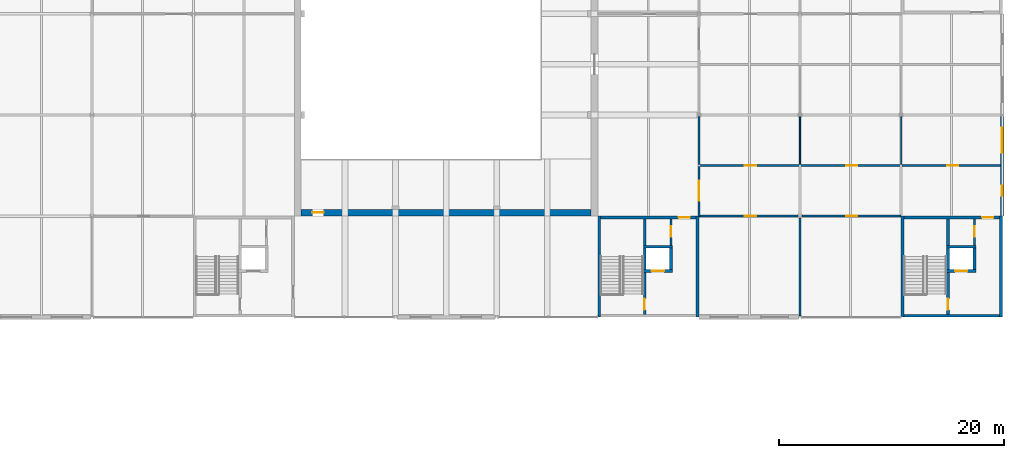
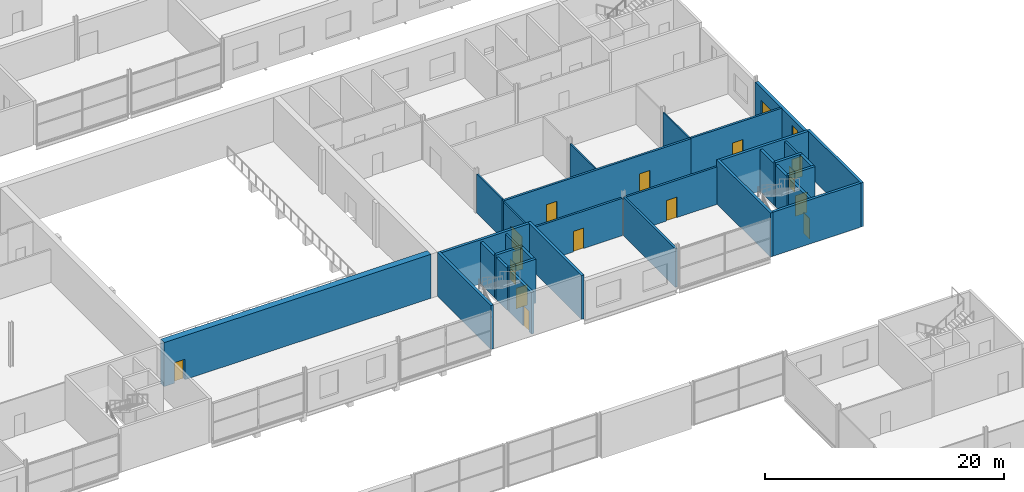
# One storey, part 83 of 97: 28 walls, 15 doors, 2 windows, 17 openings.
"""IFC4 building model written with IfcOpenShell, lengths in metres."""

from ifc_helpers import new_model, si_unit, direction, frame, frame_2d, origin, place, context, subcontext, project, spatial, rectangle, extrude, material, layer, layer_set, type_object, element, fill, save


model = new_model("IFC4")

# Units and contexts
model_context = context("Model", 3, precision=1e-05, world=origin(), true_north=direction((0.0, 1.0)))
body_context = subcontext(model_context, "Body", "Model", "MODEL_VIEW")
ifc_project = project(units=[si_unit("LENGTHUNIT", "METRE"), si_unit("AREAUNIT", "SQUARE_METRE"), si_unit("VOLUMEUNIT", "CUBIC_METRE"), si_unit("PLANEANGLEUNIT", "RADIAN"), si_unit("MASSUNIT", "GRAM", prefix="KILO")], contexts=[model_context])

# Site, building, storey
site_placement = place(None, origin())
site = spatial("IfcSite", under=ifc_project, at=site_placement, CompositionType="ELEMENT")
building_placement = place(site_placement, origin())
building = spatial("IfcBuilding", under=site, at=building_placement, Name="Corbel Yard City Hall", CompositionType="ELEMENT")
storey_placement = place(building_placement, frame((0.0, 0.0, 6.0)))
storey = spatial("IfcBuildingStorey", under=building, at=storey_placement, Name="L01", CompositionType="ELEMENT", Elevation=6.0)

# Wall, opening, door
ifc_material_1 = material(Name="Concrete N50 (50 MPa)", Category="concrete")
ifc_layer_1 = layer(ifc_material_1, 0.60009765625)
ifc_layer_set_1 = layer_set([ifc_layer_1], Name="Concrete N50 (50 MPa)")
wall_type_1 = type_object("IfcWallType", Name="Chamber wall 600", PredefinedType="SHEAR", material=ifc_layer_set_1)
wall_1_placement = place(storey_placement, frame((117.60009765625, 54.300048828125, 0.0), z_axis=(0.0, 0.0, 1.0), x_axis=(1.0, 0.0, 0.0)))
wall_1 = element("IfcWall", 1, at=wall_1_placement, inside=storey, type_object=wall_type_1, Name="Chamber south wall", PredefinedType="SHEAR", context=body_context, shape_type="SweptSolid", body=[
    extrude(rectangle(XDim=25.7998046875, YDim=0.60009765625, at=frame_2d((12.89990234375, 0.0))), origin(), (0.0, 0.0, 1.0), 4.5),
])
opening_1_placement = place(wall_1_placement, frame((1.0, 0.0, 0.0)))
opening_1 = element("IfcOpeningElement", 2, at=opening_1_placement, cuts=wall_1, Name="Opening L01-115", PredefinedType="OPENING", context=body_context, shape_type="SweptSolid", body=[
    extrude(rectangle(XDim=1.0, YDim=2.10009765625, at=frame_2d((0.5, 1.050048828125))), frame((0.0, 0.31005859375, 0.0), z_axis=(0.0, -1.0, 0.0), x_axis=(1.0, 0.0, 0.0)), (0.0, 0.0, 1.0), 0.6201171875),
])
ifc_material_2 = material(Name="Steel Grade G250", Category="steel")
door_type_1 = type_object("IfcDoorType", Name="FS1", OperationType="SINGLE_SWING_LEFT", PredefinedType="DOOR", material=ifc_material_2)
door_1_placement = place(opening_1_placement, origin())
door_1 = element("IfcDoor", 3, at=door_1_placement, inside=storey, type_object=door_type_1, Name="Door Gallery Entrance Lobby", OperationType="SINGLE_SWING_LEFT", OverallHeight=2.10009765625, OverallWidth=1.0, PredefinedType="DOOR", context=body_context, shape_type="SweptSolid", body=[
    extrude(rectangle(XDim=1.0, YDim=2.10009765625, at=frame_2d((0.5, 1.050048828125))), frame((0.0, 0.02490234375, 0.0), z_axis=(0.0, -1.0, 0.0), x_axis=(1.0, 0.0, 0.0)), (0.0, 0.0, 1.0), 0.050048828125),
])
fill(opening_1, door_1)

# Walls
ifc_layer_2 = layer(ifc_material_1, 0.25)
ifc_layer_set_2 = layer_set([ifc_layer_2], Name="Concrete N50 (50 MPa)")
wall_type_2 = type_object("IfcWallType", Name="Core cell wall 250", PredefinedType="SHEAR", material=ifc_layer_set_2)
for number, where, z_axis, x_axis, name in (
    (4, (144.125, 45.0, 0.0), (0.0, 0.0, 1.0), (0.0, 1.0, 0.0), "Core PC-M4 west wall"),
    (5, (152.875, 45.0, 0.0), (0.0, 0.0, 1.0), (0.0, 1.0, 0.0), "Core PC-M4 east wall"),
):
    element("IfcWall", number, at=place(storey_placement, frame(where, z_axis=z_axis, x_axis=x_axis)), inside=storey, type_object=wall_type_2, Name=name, PredefinedType="SHEAR", context=body_context, shape_type="SweptSolid", body=[
        extrude(rectangle(XDim=9.0, YDim=0.25, at=frame_2d((4.5, 0.0))), origin(), (0.0, 0.0, 1.0), 4.5),
    ])

# Wall, opening, door
wall_2_placement = place(storey_placement, frame((144.25, 53.875, 0.0), z_axis=(0.0, 0.0, 1.0), x_axis=(1.0, 0.0, 0.0)))
wall_2 = element("IfcWall", 6, at=wall_2_placement, inside=storey, type_object=wall_type_2, Name="Core PC-M4 north wall", PredefinedType="SHEAR", context=body_context, shape_type="SweptSolid", body=[
    extrude(rectangle(XDim=8.5, YDim=0.25, at=frame_2d((4.25, 0.0))), origin(), (0.0, 0.0, 1.0), 4.5),
])
opening_2_placement = place(wall_2_placement, frame((6.949951171875, 0.0, 0.0)))
opening_2 = element("IfcOpeningElement", 7, at=opening_2_placement, cuts=wall_2, Name="Opening L01-109", PredefinedType="OPENING", context=body_context, shape_type="SweptSolid", body=[
    extrude(rectangle(XDim=1.0, YDim=2.10009765625, at=frame_2d((0.5, 1.050048828125))), frame((0.0, 0.135009765625, 0.0), z_axis=(0.0, -1.0, 0.0), x_axis=(1.0, 0.0, 0.0)), (0.0, 0.0, 1.0), 0.27001953125),
])
door_2_placement = place(opening_2_placement, frame((1.0, 0.0, 0.0), z_axis=(0.0, 0.0, 1.0), x_axis=(-1.0, 0.0, 0.0)))
door_2 = element("IfcDoor", 8, at=door_2_placement, inside=storey, type_object=door_type_1, Name="Door Lift Lobby", OperationType="SINGLE_SWING_RIGHT", OverallHeight=2.10009765625, OverallWidth=1.0, PredefinedType="DOOR", context=body_context, shape_type="SweptSolid", body=[
    extrude(rectangle(XDim=1.0, YDim=2.10009765625, at=frame_2d((0.5, 1.050048828125))), frame((0.0, 0.02490234375, 0.0), z_axis=(0.0, -1.0, 0.0), x_axis=(1.0, 0.0, 0.0)), (0.0, 0.0, 1.0), 0.050048828125),
])
fill(opening_2, door_2)

# Walls
for number, where, z_axis, x_axis, name in (
    (9, (171.125, 45.0, 0.0), (0.0, 0.0, 1.0), (0.0, 1.0, 0.0), "Core PC-M5 west wall"),
    (10, (179.875, 45.0, 0.0), (0.0, 0.0, 1.0), (0.0, 1.0, 0.0), "Core PC-M5 east wall"),
):
    element("IfcWall", number, at=place(storey_placement, frame(where, z_axis=z_axis, x_axis=x_axis)), inside=storey, type_object=wall_type_2, Name=name, PredefinedType="SHEAR", context=body_context, shape_type="SweptSolid", body=[
        extrude(rectangle(XDim=9.0, YDim=0.25, at=frame_2d((4.5, 0.0))), origin(), (0.0, 0.0, 1.0), 4.5),
    ])
wall_3_placement = place(storey_placement, frame((171.25, 45.125, 0.0), z_axis=(0.0, 0.0, 1.0), x_axis=(1.0, 0.0, 0.0)))
element("IfcWall", 11, at=wall_3_placement, inside=storey, type_object=wall_type_2, Name="Core PC-M5 south wall", PredefinedType="SHEAR", context=body_context, shape_type="SweptSolid", body=[
    extrude(rectangle(XDim=8.5, YDim=0.25, at=frame_2d((4.25, 0.0))), origin(), (0.0, 0.0, 1.0), 4.5),
])

# Wall, opening, door
wall_4_placement = place(storey_placement, frame((171.25, 53.875, 0.0), z_axis=(0.0, 0.0, 1.0), x_axis=(1.0, 0.0, 0.0)))
wall_4 = element("IfcWall", 12, at=wall_4_placement, inside=storey, type_object=wall_type_2, Name="Core PC-M5 north wall", PredefinedType="SHEAR", context=body_context, shape_type="SweptSolid", body=[
    extrude(rectangle(XDim=8.5, YDim=0.25, at=frame_2d((4.25, 0.0))), origin(), (0.0, 0.0, 1.0), 4.5),
])
opening_3_placement = place(wall_4_placement, frame((6.949951171875, 0.0, 0.0)))
opening_3 = element("IfcOpeningElement", 13, at=opening_3_placement, cuts=wall_4, Name="Opening L01-118", PredefinedType="OPENING", context=body_context, shape_type="SweptSolid", body=[
    extrude(rectangle(XDim=1.0, YDim=2.10009765625, at=frame_2d((0.5, 1.050048828125))), frame((0.0, 0.135009765625, 0.0), z_axis=(0.0, -1.0, 0.0), x_axis=(1.0, 0.0, 0.0)), (0.0, 0.0, 1.0), 0.27001953125),
])
door_3_placement = place(opening_3_placement, frame((1.0, 0.0, 0.0), z_axis=(0.0, 0.0, 1.0), x_axis=(-1.0, 0.0, 0.0)))
door_3 = element("IfcDoor", 14, at=door_3_placement, inside=storey, type_object=door_type_1, Name="Door Lift Lobby", OperationType="SINGLE_SWING_RIGHT", OverallHeight=2.10009765625, OverallWidth=1.0, PredefinedType="DOOR", context=body_context, shape_type="SweptSolid", body=[
    extrude(rectangle(XDim=1.0, YDim=2.10009765625, at=frame_2d((0.5, 1.050048828125))), frame((0.0, 0.02490234375, 0.0), z_axis=(0.0, -1.0, 0.0), x_axis=(1.0, 0.0, 0.0)), (0.0, 0.0, 1.0), 0.050048828125),
])
fill(opening_3, door_3)

# Wall, openings, windows
ifc_material_3 = material(Name="Sandstone cladding", Category="masonry")
ifc_layer_3 = layer(ifc_material_3, 0.0400390625)
ifc_material_4 = material(Name="Air cavity", Category="air")
ifc_layer_4 = layer(ifc_material_4, 0.0400390625)
ifc_material_5 = material(Name="Concrete block", Category="concrete")
ifc_layer_5 = layer(ifc_material_5, 0.18994140625)
ifc_material_6 = material(Name="Gypsum plasterboard", Category="gypsum")
ifc_layer_6 = layer(ifc_material_6, 0.030029296875)
ifc_layer_set_3 = layer_set([ifc_layer_3, ifc_layer_4, ifc_layer_5, ifc_layer_6], Name="Concrete block")
wall_type_3 = type_object("IfcWallType", Name="EW1", PredefinedType="SOLIDWALL", material=ifc_layer_set_3)
wall_5_placement = place(storey_placement, frame((180.0, 54.0, 0.0), z_axis=(0.0, 0.0, 1.0), x_axis=(0.0, 1.0, 0.0)))
wall_5 = element("IfcWall", 15, at=wall_5_placement, inside=storey, type_object=wall_type_3, Name="External wall", PredefinedType="SOLIDWALL", context=body_context, shape_type="SweptSolid", body=[
    extrude(rectangle(XDim=8.8720703125, YDim=0.300048828125, at=frame_2d((4.43603515625, 0.0))), origin(), (0.0, 0.0, 1.0), 3.947021484375),
])
opening_4_placement = place(wall_5_placement, frame((1.800048828125, 0.0, 0.60009765625)))
opening_4 = element("IfcOpeningElement", 16, at=opening_4_placement, cuts=wall_5, Name="Opening WN14", PredefinedType="OPENING", context=body_context, shape_type="SweptSolid", body=[
    extrude(rectangle(XDim=0.89990234375, YDim=2.699951171875, at=frame_2d((0.449951171875, 1.35009765625))), frame((0.0, 0.159912109375, 0.0), z_axis=(0.0, -1.0, 0.0), x_axis=(1.0, 0.0, 0.0)), (0.0, 0.0, 1.0), 0.320068359375),
])
opening_5_placement = place(wall_5_placement, frame((5.625, 0.0, 0.89990234375)))
opening_5 = element("IfcOpeningElement", 17, at=opening_5_placement, cuts=wall_5, Name="Opening WN15", PredefinedType="OPENING", context=body_context, shape_type="SweptSolid", body=[
    extrude(rectangle(XDim=2.25, YDim=1.800048828125, at=frame_2d((1.125, 0.89990234375))), frame((0.0, 0.159912109375, 0.0), z_axis=(0.0, -1.0, 0.0), x_axis=(1.0, 0.0, 0.0)), (0.0, 0.0, 1.0), 0.320068359375),
])
ifc_material_7 = material(Name="Aluminium frame, double glazed low-e glass", Category="aluminium")
window_type_1 = type_object("IfcWindowType", Name="WN14", PartitioningType="SINGLE_PANEL", PredefinedType="WINDOW", material=ifc_material_7)
window_1_placement = place(opening_4_placement, origin())
window_1 = element("IfcWindow", 18, at=window_1_placement, inside=storey, type_object=window_type_1, Name="Window WN14 L01", OverallHeight=2.699951171875, OverallWidth=0.89990234375, PartitioningType="SINGLE_PANEL", PredefinedType="WINDOW", context=body_context, shape_type="SweptSolid", body=[
    extrude(rectangle(XDim=0.89990234375, YDim=2.699951171875, at=frame_2d((0.449951171875, 1.35009765625))), frame((0.0, 0.030029296875, 0.0), z_axis=(0.0, -1.0, 0.0), x_axis=(1.0, 0.0, 0.0)), (0.0, 0.0, 1.0), 0.06005859375),
])
fill(opening_4, window_1)
window_type_2 = type_object("IfcWindowType", Name="WN15", PartitioningType="SINGLE_PANEL", PredefinedType="WINDOW", material=ifc_material_7)
window_2_placement = place(opening_5_placement, origin())
window_2 = element("IfcWindow", 19, at=window_2_placement, inside=storey, type_object=window_type_2, Name="Window WN15 L01", OverallHeight=1.800048828125, OverallWidth=2.25, PartitioningType="SINGLE_PANEL", PredefinedType="WINDOW", context=body_context, shape_type="SweptSolid", body=[
    extrude(rectangle(XDim=2.25, YDim=1.800048828125, at=frame_2d((1.125, 0.89990234375))), frame((0.0, 0.030029296875, 0.0), z_axis=(0.0, -1.0, 0.0), x_axis=(1.0, 0.0, 0.0)), (0.0, 0.0, 1.0), 0.06005859375),
])
fill(opening_5, window_2)

# Wall, opening, door
ifc_material_8 = material(Name="Concrete N40 (40 MPa)", Category="concrete")
ifc_layer_7 = layer(ifc_material_8, 0.25)
ifc_layer_set_4 = layer_set([ifc_layer_7], Name="Concrete N40 (40 MPa)")
wall_type_4 = type_object("IfcWallType", Name="IW2", PredefinedType="SOLIDWALL", material=ifc_layer_set_4)
wall_6_placement = place(storey_placement, frame((148.175048828125, 45.25, 0.0), z_axis=(0.0, 0.0, 1.0), x_axis=(0.0, 1.0, 0.0)))
wall_6 = element("IfcWall", 20, at=wall_6_placement, inside=storey, type_object=wall_type_4, Name="Stair enclosure wall", PredefinedType="SOLIDWALL", context=body_context, shape_type="SweptSolid", body=[
    extrude(rectangle(XDim=8.5, YDim=0.25, at=frame_2d((4.25, 0.0))), origin(), (0.0, 0.0, 1.0), 4.25),
])
opening_6_placement = place(wall_6_placement, frame((0.39990234375, 0.0, 0.0)))
opening_6 = element("IfcOpeningElement", 21, at=opening_6_placement, cuts=wall_6, Name="Opening L01-108", PredefinedType="OPENING", context=body_context, shape_type="SweptSolid", body=[
    extrude(rectangle(XDim=1.0, YDim=2.10009765625, at=frame_2d((0.5, 1.050048828125))), frame((0.0, 0.135009765625, 0.0), z_axis=(0.0, -1.0, 0.0), x_axis=(1.0, 0.0, 0.0)), (0.0, 0.0, 1.0), 0.27001953125),
])
door_4_placement = place(opening_6_placement, origin())
door_4 = element("IfcDoor", 22, at=door_4_placement, inside=storey, type_object=door_type_1, Name="Door Exit Stair 11", OperationType="SINGLE_SWING_LEFT", OverallHeight=2.10009765625, OverallWidth=1.0, PredefinedType="DOOR", context=body_context, shape_type="SweptSolid", body=[
    extrude(rectangle(XDim=1.0, YDim=2.10009765625, at=frame_2d((0.5, 1.050048828125))), frame((0.0, 0.02490234375, 0.0), z_axis=(0.0, -1.0, 0.0), x_axis=(1.0, 0.0, 0.0)), (0.0, 0.0, 1.0), 0.050048828125),
])
fill(opening_6, door_4)

wall_7_placement = place(storey_placement, frame((148.050048828125, 49.125, 0.0), z_axis=(0.0, 0.0, 1.0), x_axis=(1.0, 0.0, 0.0)))
wall_7 = element("IfcWall", 23, at=wall_7_placement, inside=storey, type_object=wall_type_4, Name="Lift LP11 shaft wall", PredefinedType="SOLIDWALL", context=body_context, shape_type="SweptSolid", body=[
    extrude(rectangle(XDim=2.599853515625, YDim=0.25, at=frame_2d((1.2998046875, 0.0))), origin(), (0.0, 0.0, 1.0), 4.5),
])
opening_7_placement = place(wall_7_placement, frame((0.75, 0.0, 0.0)))
opening_7 = element("IfcOpeningElement", 24, at=opening_7_placement, cuts=wall_7, Name="Opening L01-053", PredefinedType="OPENING", context=body_context, shape_type="SweptSolid", body=[
    extrude(rectangle(XDim=1.10009765625, YDim=2.10009765625, at=frame_2d((0.550048828125, 1.050048828125))), frame((0.0, 0.135009765625, 0.0), z_axis=(0.0, -1.0, 0.0), x_axis=(1.0, 0.0, 0.0)), (0.0, 0.0, 1.0), 0.27001953125),
])
ifc_material_9 = material(Name="Stainless steel Grade 316", Category="steel")
door_type_2 = type_object("IfcDoorType", Name="LD1", OperationType="DOUBLE_DOOR_SLIDING", PredefinedType="DOOR", material=ifc_material_9)
door_5_placement = place(opening_7_placement, origin())
door_5 = element("IfcDoor", 25, at=door_5_placement, inside=storey, type_object=door_type_2, Name="Lift LP11 landing door", OperationType="DOUBLE_DOOR_SLIDING", OverallHeight=2.10009765625, OverallWidth=1.10009765625, PredefinedType="DOOR", context=body_context, shape_type="SweptSolid", body=[
    extrude(rectangle(XDim=1.10009765625, YDim=2.10009765625, at=frame_2d((0.550048828125, 1.050048828125))), frame((0.0, 0.02490234375, 0.0), z_axis=(0.0, -1.0, 0.0), x_axis=(1.0, 0.0, 0.0)), (0.0, 0.0, 1.0), 0.050048828125),
])
fill(opening_7, door_5)

# Walls
wall_8_placement = place(storey_placement, frame((148.050048828125, 51.27490234375, 0.0), z_axis=(0.0, 0.0, 1.0), x_axis=(1.0, 0.0, 0.0)))
element("IfcWall", 26, at=wall_8_placement, inside=storey, type_object=wall_type_4, Name="Lift LP11 shaft wall", PredefinedType="SOLIDWALL", context=body_context, shape_type="SweptSolid", body=[
    extrude(rectangle(XDim=2.599853515625, YDim=0.25, at=frame_2d((1.2998046875, 0.0))), origin(), (0.0, 0.0, 1.0), 4.5),
])
wall_9_placement = place(storey_placement, frame((150.52490234375, 49.25, 0.0), z_axis=(0.0, 0.0, 1.0), x_axis=(0.0, 1.0, 0.0)))
element("IfcWall", 27, at=wall_9_placement, inside=storey, type_object=wall_type_4, Name="Lift LP11 shaft wall", PredefinedType="SOLIDWALL", context=body_context, shape_type="SweptSolid", body=[
    extrude(rectangle(XDim=1.89990234375, YDim=0.25, at=frame_2d((0.949951171875, 0.0))), origin(), (0.0, 0.0, 1.0), 4.5),
])

# Wall, opening, door
wall_10_placement = place(storey_placement, frame((175.175048828125, 45.25, 0.0), z_axis=(0.0, 0.0, 1.0), x_axis=(0.0, 1.0, 0.0)))
wall_10 = element("IfcWall", 28, at=wall_10_placement, inside=storey, type_object=wall_type_4, Name="Stair enclosure wall", PredefinedType="SOLIDWALL", context=body_context, shape_type="SweptSolid", body=[
    extrude(rectangle(XDim=8.5, YDim=0.25, at=frame_2d((4.25, 0.0))), origin(), (0.0, 0.0, 1.0), 4.25),
])
opening_8_placement = place(wall_10_placement, frame((0.39990234375, 0.0, 0.0)))
opening_8 = element("IfcOpeningElement", 29, at=opening_8_placement, cuts=wall_10, Name="Opening L01-117", PredefinedType="OPENING", context=body_context, shape_type="SweptSolid", body=[
    extrude(rectangle(XDim=1.0, YDim=2.10009765625, at=frame_2d((0.5, 1.050048828125))), frame((0.0, 0.135009765625, 0.0), z_axis=(0.0, -1.0, 0.0), x_axis=(1.0, 0.0, 0.0)), (0.0, 0.0, 1.0), 0.27001953125),
])
door_6_placement = place(opening_8_placement, origin())
door_6 = element("IfcDoor", 30, at=door_6_placement, inside=storey, type_object=door_type_1, Name="Door Exit Stair 12", OperationType="SINGLE_SWING_LEFT", OverallHeight=2.10009765625, OverallWidth=1.0, PredefinedType="DOOR", context=body_context, shape_type="SweptSolid", body=[
    extrude(rectangle(XDim=1.0, YDim=2.10009765625, at=frame_2d((0.5, 1.050048828125))), frame((0.0, 0.02490234375, 0.0), z_axis=(0.0, -1.0, 0.0), x_axis=(1.0, 0.0, 0.0)), (0.0, 0.0, 1.0), 0.050048828125),
])
fill(opening_8, door_6)

wall_11_placement = place(storey_placement, frame((175.050048828125, 49.125, 0.0), z_axis=(0.0, 0.0, 1.0), x_axis=(1.0, 0.0, 0.0)))
wall_11 = element("IfcWall", 31, at=wall_11_placement, inside=storey, type_object=wall_type_4, Name="Lift LP12 shaft wall", PredefinedType="SOLIDWALL", context=body_context, shape_type="SweptSolid", body=[
    extrude(rectangle(XDim=2.599853515625, YDim=0.25, at=frame_2d((1.2998046875, 0.0))), origin(), (0.0, 0.0, 1.0), 4.5),
])
opening_9_placement = place(wall_11_placement, frame((0.75, 0.0, 0.0)))
opening_9 = element("IfcOpeningElement", 32, at=opening_9_placement, cuts=wall_11, Name="Opening L01-054", PredefinedType="OPENING", context=body_context, shape_type="SweptSolid", body=[
    extrude(rectangle(XDim=1.10009765625, YDim=2.10009765625, at=frame_2d((0.550048828125, 1.050048828125))), frame((0.0, 0.135009765625, 0.0), z_axis=(0.0, -1.0, 0.0), x_axis=(1.0, 0.0, 0.0)), (0.0, 0.0, 1.0), 0.27001953125),
])
door_7_placement = place(opening_9_placement, origin())
door_7 = element("IfcDoor", 33, at=door_7_placement, inside=storey, type_object=door_type_2, Name="Lift LP12 landing door", OperationType="DOUBLE_DOOR_SLIDING", OverallHeight=2.10009765625, OverallWidth=1.10009765625, PredefinedType="DOOR", context=body_context, shape_type="SweptSolid", body=[
    extrude(rectangle(XDim=1.10009765625, YDim=2.10009765625, at=frame_2d((0.550048828125, 1.050048828125))), frame((0.0, 0.02490234375, 0.0), z_axis=(0.0, -1.0, 0.0), x_axis=(1.0, 0.0, 0.0)), (0.0, 0.0, 1.0), 0.050048828125),
])
fill(opening_9, door_7)

# Walls
wall_12_placement = place(storey_placement, frame((175.050048828125, 51.27490234375, 0.0), z_axis=(0.0, 0.0, 1.0), x_axis=(1.0, 0.0, 0.0)))
element("IfcWall", 34, at=wall_12_placement, inside=storey, type_object=wall_type_4, Name="Lift LP12 shaft wall", PredefinedType="SOLIDWALL", context=body_context, shape_type="SweptSolid", body=[
    extrude(rectangle(XDim=2.599853515625, YDim=0.25, at=frame_2d((1.2998046875, 0.0))), origin(), (0.0, 0.0, 1.0), 4.5),
])
wall_13_placement = place(storey_placement, frame((177.52490234375, 49.25, 0.0), z_axis=(0.0, 0.0, 1.0), x_axis=(0.0, 1.0, 0.0)))
element("IfcWall", 35, at=wall_13_placement, inside=storey, type_object=wall_type_4, Name="Lift LP12 shaft wall", PredefinedType="SOLIDWALL", context=body_context, shape_type="SweptSolid", body=[
    extrude(rectangle(XDim=1.89990234375, YDim=0.25, at=frame_2d((0.949951171875, 0.0))), origin(), (0.0, 0.0, 1.0), 4.5),
])
ifc_layer_8 = layer(ifc_material_6, 0.028076171875)
ifc_material_10 = material(Name="Steel Grade G550 (550 MPa yield)", Category="steel")
ifc_layer_9 = layer(ifc_material_10, 0.06396484375)
ifc_layer_10 = layer(ifc_material_6, 0.028076171875)
ifc_layer_set_5 = layer_set([ifc_layer_8, ifc_layer_9, ifc_layer_10], Name="Steel Grade G550 (550 MPa yield)")
wall_type_5 = type_object("IfcWallType", Name="PT1", PredefinedType="PARTITIONING", material=ifc_layer_set_5)
wall_14_placement = place(storey_placement, frame((162.0, 58.60009765625, 0.0), z_axis=(0.0, 0.0, 1.0), x_axis=(0.0, 1.0, 0.0)))
element("IfcWall", 36, at=wall_14_placement, inside=storey, type_object=wall_type_5, Name="Partition", PredefinedType="PARTITIONING", context=body_context, shape_type="SweptSolid", body=[
    extrude(rectangle(XDim=4.242431640625, YDim=0.1201171875, at=frame_2d((2.12109375, 0.0))), origin(), (0.0, 0.0, 1.0), 3.947021484375),
])
wall_15_placement = place(storey_placement, frame((171.0, 58.60009765625, 0.0), z_axis=(0.0, 0.0, 1.0), x_axis=(0.0, 1.0, 0.0)))
element("IfcWall", 37, at=wall_15_placement, inside=storey, type_object=wall_type_5, Name="Partition", PredefinedType="PARTITIONING", context=body_context, shape_type="SweptSolid", body=[
    extrude(rectangle(XDim=4.242431640625, YDim=0.1201171875, at=frame_2d((2.12109375, 0.0))), origin(), (0.0, 0.0, 1.0), 3.993896484375),
])

# Wall, opening, door
ifc_layer_11 = layer(ifc_material_6, 0.031982421875)
ifc_layer_12 = layer(ifc_material_10, 0.135986328125)
ifc_layer_13 = layer(ifc_material_6, 0.031982421875)
ifc_layer_set_6 = layer_set([ifc_layer_11, ifc_layer_12, ifc_layer_13], Name="Steel Grade G550 (550 MPa yield)")
wall_type_6 = type_object("IfcWallType", Name="PT2", PredefinedType="PARTITIONING", material=ifc_layer_set_6)
wall_16_placement = place(storey_placement, frame((153.0, 54.0, 0.0), z_axis=(0.0, 0.0, 1.0), x_axis=(1.0, 0.0, 0.0)))
wall_16 = element("IfcWall", 38, at=wall_16_placement, inside=storey, type_object=wall_type_6, Name="Acoustic wall", PredefinedType="PARTITIONING", context=body_context, shape_type="SweptSolid", body=[
    extrude(rectangle(XDim=8.842529296875, YDim=0.199951171875, at=frame_2d((4.42138671875, 0.0))), origin(), (0.0, 0.0, 1.0), 3.822021484375),
])
opening_10_placement = place(wall_16_placement, frame((4.10009765625, 0.0, 0.0)))
opening_10 = element("IfcOpeningElement", 39, at=opening_10_placement, cuts=wall_16, Name="Opening L01-125", PredefinedType="OPENING", context=body_context, shape_type="SweptSolid", body=[
    extrude(rectangle(XDim=1.0, YDim=2.10009765625, at=frame_2d((0.5, 1.050048828125))), frame((0.0, 0.10986328125, 0.0), z_axis=(0.0, -1.0, 0.0), x_axis=(1.0, 0.0, 0.0)), (0.0, 0.0, 1.0), 0.219970703125),
])
ifc_material_11 = material(Name="Timber", Category="wood")
door_type_3 = type_object("IfcDoorType", Name="D1", OperationType="SINGLE_SWING_LEFT", PredefinedType="DOOR", material=ifc_material_11)
door_8_placement = place(opening_10_placement, frame((1.0, 0.0, 0.0), z_axis=(0.0, 0.0, 1.0), x_axis=(-1.0, 0.0, 0.0)))
door_8 = element("IfcDoor", 40, at=door_8_placement, inside=storey, type_object=door_type_3, Name="Door Committee Room 15", OperationType="SINGLE_SWING_LEFT", OverallHeight=2.10009765625, OverallWidth=1.0, PredefinedType="DOOR", context=body_context, shape_type="SweptSolid", body=[
    extrude(rectangle(XDim=1.0, YDim=2.10009765625, at=frame_2d((0.5, 1.050048828125))), frame((0.0, 0.02490234375, 0.0), z_axis=(0.0, -1.0, 0.0), x_axis=(1.0, 0.0, 0.0)), (0.0, 0.0, 1.0), 0.050048828125),
])
fill(opening_10, door_8)

wall_17_placement = place(storey_placement, frame((162.157470703125, 54.0, 0.0), z_axis=(0.0, 0.0, 1.0), x_axis=(1.0, 0.0, 0.0)))
wall_17 = element("IfcWall", 41, at=wall_17_placement, inside=storey, type_object=wall_type_6, Name="Acoustic wall", PredefinedType="PARTITIONING", context=body_context, shape_type="SweptSolid", body=[
    extrude(rectangle(XDim=8.842529296875, YDim=0.199951171875, at=frame_2d((4.42138671875, 0.0))), origin(), (0.0, 0.0, 1.0), 3.822021484375),
])
opening_11_placement = place(wall_17_placement, frame((3.9423828125, 0.0, 0.0)))
opening_11 = element("IfcOpeningElement", 42, at=opening_11_placement, cuts=wall_17, Name="Opening L01-126", PredefinedType="OPENING", context=body_context, shape_type="SweptSolid", body=[
    extrude(rectangle(XDim=1.0, YDim=2.10009765625, at=frame_2d((0.5, 1.050048828125))), frame((0.0, 0.10986328125, 0.0), z_axis=(0.0, -1.0, 0.0), x_axis=(1.0, 0.0, 0.0)), (0.0, 0.0, 1.0), 0.219970703125),
])
door_9_placement = place(opening_11_placement, frame((1.0, 0.0, 0.0), z_axis=(0.0, 0.0, 1.0), x_axis=(-1.0, 0.0, 0.0)))
door_9 = element("IfcDoor", 43, at=door_9_placement, inside=storey, type_object=door_type_3, Name="Door Committee Room 16", OperationType="SINGLE_SWING_LEFT", OverallHeight=2.10009765625, OverallWidth=1.0, PredefinedType="DOOR", context=body_context, shape_type="SweptSolid", body=[
    extrude(rectangle(XDim=1.0, YDim=2.10009765625, at=frame_2d((0.5, 1.050048828125))), frame((0.0, 0.02490234375, 0.0), z_axis=(0.0, -1.0, 0.0), x_axis=(1.0, 0.0, 0.0)), (0.0, 0.0, 1.0), 0.050048828125),
])
fill(opening_11, door_9)

# Wall, openings, doors
wall_18_placement = place(storey_placement, frame((152.919921875, 58.5, 0.0), z_axis=(0.0, 0.0, 1.0), x_axis=(1.0, 0.0, 0.0)))
wall_18 = element("IfcWall", 44, at=wall_18_placement, inside=storey, type_object=wall_type_6, Name="Acoustic wall", PredefinedType="PARTITIONING", context=body_context, shape_type="SweptSolid", body=[
    extrude(rectangle(XDim=18.14013671875, YDim=0.199951171875, at=frame_2d((9.070068359375, 0.0))), origin(), (0.0, 0.0, 1.0), 3.947021484375),
])
opening_12_placement = place(wall_18_placement, frame((4.179931640625, 0.0, 0.0)))
opening_12 = element("IfcOpeningElement", 45, at=opening_12_placement, cuts=wall_18, Name="Opening L01-127", PredefinedType="OPENING", context=body_context, shape_type="SweptSolid", body=[
    extrude(rectangle(XDim=1.0, YDim=2.10009765625, at=frame_2d((0.5, 1.050048828125))), frame((0.0, 0.10986328125, 0.0), z_axis=(0.0, -1.0, 0.0), x_axis=(1.0, 0.0, 0.0)), (0.0, 0.0, 1.0), 0.219970703125),
])
opening_13_placement = place(wall_18_placement, frame((13.179931640625, 0.0, 0.0)))
opening_13 = element("IfcOpeningElement", 46, at=opening_13_placement, cuts=wall_18, Name="Opening L01-128", PredefinedType="OPENING", context=body_context, shape_type="SweptSolid", body=[
    extrude(rectangle(XDim=1.0, YDim=2.10009765625, at=frame_2d((0.5, 1.050048828125))), frame((0.0, 0.10986328125, 0.0), z_axis=(0.0, -1.0, 0.0), x_axis=(1.0, 0.0, 0.0)), (0.0, 0.0, 1.0), 0.219970703125),
])
door_10_placement = place(opening_12_placement, origin())
door_10 = element("IfcDoor", 47, at=door_10_placement, inside=storey, type_object=door_type_3, Name="Door Members' Office 1", OperationType="SINGLE_SWING_RIGHT", OverallHeight=2.10009765625, OverallWidth=1.0, PredefinedType="DOOR", context=body_context, shape_type="SweptSolid", body=[
    extrude(rectangle(XDim=1.0, YDim=2.10009765625, at=frame_2d((0.5, 1.050048828125))), frame((0.0, 0.02490234375, 0.0), z_axis=(0.0, -1.0, 0.0), x_axis=(1.0, 0.0, 0.0)), (0.0, 0.0, 1.0), 0.050048828125),
])
fill(opening_12, door_10)
door_11_placement = place(opening_13_placement, origin())
door_11 = element("IfcDoor", 48, at=door_11_placement, inside=storey, type_object=door_type_3, Name="Door Members' Office 2", OperationType="SINGLE_SWING_RIGHT", OverallHeight=2.10009765625, OverallWidth=1.0, PredefinedType="DOOR", context=body_context, shape_type="SweptSolid", body=[
    extrude(rectangle(XDim=1.0, YDim=2.10009765625, at=frame_2d((0.5, 1.050048828125))), frame((0.0, 0.02490234375, 0.0), z_axis=(0.0, -1.0, 0.0), x_axis=(1.0, 0.0, 0.0)), (0.0, 0.0, 1.0), 0.050048828125),
])
fill(opening_13, door_11)

# Wall, opening, door
wall_19_placement = place(storey_placement, frame((171.06005859375, 58.5, 0.0), z_axis=(0.0, 0.0, 1.0), x_axis=(1.0, 0.0, 0.0)))
wall_19 = element("IfcWall", 49, at=wall_19_placement, inside=storey, type_object=wall_type_6, Name="Acoustic wall", PredefinedType="PARTITIONING", context=body_context, shape_type="SweptSolid", body=[
    extrude(rectangle(XDim=8.7900390625, YDim=0.199951171875, at=frame_2d((4.39501953125, 0.0))), origin(), (0.0, 0.0, 1.0), 3.993896484375),
])
opening_14_placement = place(wall_19_placement, frame((4.0400390625, 0.0, 0.0)))
opening_14 = element("IfcOpeningElement", 50, at=opening_14_placement, cuts=wall_19, Name="Opening L01-129", PredefinedType="OPENING", context=body_context, shape_type="SweptSolid", body=[
    extrude(rectangle(XDim=1.0, YDim=2.10009765625, at=frame_2d((0.5, 1.050048828125))), frame((0.0, 0.10986328125, 0.0), z_axis=(0.0, -1.0, 0.0), x_axis=(1.0, 0.0, 0.0)), (0.0, 0.0, 1.0), 0.219970703125),
])
door_12_placement = place(opening_14_placement, origin())
door_12 = element("IfcDoor", 51, at=door_12_placement, inside=storey, type_object=door_type_3, Name="Door Members' Office 3", OperationType="SINGLE_SWING_RIGHT", OverallHeight=2.10009765625, OverallWidth=1.0, PredefinedType="DOOR", context=body_context, shape_type="SweptSolid", body=[
    extrude(rectangle(XDim=1.0, YDim=2.10009765625, at=frame_2d((0.5, 1.050048828125))), frame((0.0, 0.02490234375, 0.0), z_axis=(0.0, -1.0, 0.0), x_axis=(1.0, 0.0, 0.0)), (0.0, 0.0, 1.0), 0.050048828125),
])
fill(opening_14, door_12)

# Wall
wall_20_placement = place(storey_placement, frame((162.0, 45.1298828125, 0.0), z_axis=(0.0, 0.0, 1.0), x_axis=(0.0, 1.0, 0.0)))
element("IfcWall", 52, at=wall_20_placement, inside=storey, type_object=wall_type_6, Name="Acoustic wall", PredefinedType="PARTITIONING", context=body_context, shape_type="SweptSolid", body=[
    extrude(rectangle(XDim=8.712646484375, YDim=0.199951171875, at=frame_2d((4.3564453125, 0.0))), origin(), (0.0, 0.0, 1.0), 3.947021484375),
])

# Wall, opening, door
ifc_layer_14 = layer(ifc_material_6, 0.031982421875)
ifc_layer_15 = layer(ifc_material_10, 0.095947265625)
ifc_layer_16 = layer(ifc_material_6, 0.031982421875)
ifc_layer_set_7 = layer_set([ifc_layer_14, ifc_layer_15, ifc_layer_16], Name="Steel Grade G550 (550 MPa yield)")
wall_type_7 = type_object("IfcWallType", Name="PT3", PredefinedType="PARTITIONING", material=ifc_layer_set_7)
wall_21_placement = place(storey_placement, frame((153.0, 54.0, 0.0), z_axis=(0.0, 0.0, 1.0), x_axis=(0.0, 1.0, 0.0)))
wall_21 = element("IfcWall", 53, at=wall_21_placement, inside=storey, type_object=wall_type_7, Name="Fire-resisting wall", PredefinedType="PARTITIONING", context=body_context, shape_type="SweptSolid", body=[
    extrude(rectangle(XDim=4.39990234375, YDim=0.159912109375, at=frame_2d((2.199951171875, 0.0))), origin(), (0.0, 0.0, 1.0), 3.822021484375),
])
opening_15_placement = place(wall_21_placement, frame((1.35009765625, 0.0, 0.0)))
opening_15 = element("IfcOpeningElement", 54, at=opening_15_placement, cuts=wall_21, Name="Opening L01-123", PredefinedType="OPENING", context=body_context, shape_type="SweptSolid", body=[
    extrude(rectangle(XDim=1.800048828125, YDim=2.10009765625, at=frame_2d((0.89990234375, 1.050048828125))), frame((0.0, 0.08984375, 0.0), z_axis=(0.0, -1.0, 0.0), x_axis=(1.0, 0.0, 0.0)), (0.0, 0.0, 1.0), 0.179931640625),
])
door_type_4 = type_object("IfcDoorType", Name="FD3", OperationType="DOUBLE_DOOR_SINGLE_SWING", PredefinedType="DOOR", material=ifc_material_2)
door_13_placement = place(opening_15_placement, origin())
door_13 = element("IfcDoor", 55, at=door_13_placement, inside=storey, type_object=door_type_4, Name="Door Members' Corridor", OperationType="DOUBLE_DOOR_SINGLE_SWING", OverallHeight=2.10009765625, OverallWidth=1.800048828125, PredefinedType="DOOR", context=body_context, shape_type="SweptSolid", body=[
    extrude(rectangle(XDim=1.800048828125, YDim=2.10009765625, at=frame_2d((0.89990234375, 1.050048828125))), frame((0.0, 0.02490234375, 0.0), z_axis=(0.0, -1.0, 0.0), x_axis=(1.0, 0.0, 0.0)), (0.0, 0.0, 1.0), 0.050048828125),
])
fill(opening_15, door_13)

# Wall
wall_22_placement = place(storey_placement, frame((153.0, 58.60009765625, 0.0), z_axis=(0.0, 0.0, 1.0), x_axis=(0.0, 1.0, 0.0)))
element("IfcWall", 56, at=wall_22_placement, inside=storey, type_object=wall_type_7, Name="Fire-resisting wall", PredefinedType="PARTITIONING", context=body_context, shape_type="SweptSolid", body=[
    extrude(rectangle(XDim=4.242431640625, YDim=0.159912109375, at=frame_2d((2.12109375, 0.0))), origin(), (0.0, 0.0, 1.0), 3.993896484375),
])

# Wall, opening, door
ifc_material_12 = material(Name="Concrete block", Category="concrete")
ifc_layer_17 = layer(ifc_material_12, 0.18994140625)
ifc_layer_set_8 = layer_set([ifc_layer_17], Name="Concrete block")
wall_type_8 = type_object("IfcWallType", Name="PT4", PredefinedType="PARTITIONING", material=ifc_layer_set_8)
wall_23_placement = place(storey_placement, frame((150.52490234375, 51.39990234375, 0.0), z_axis=(0.0, 0.0, 1.0), x_axis=(0.0, 1.0, 0.0)))
wall_23 = element("IfcWall", 57, at=wall_23_placement, inside=storey, type_object=wall_type_8, Name="Fire-resisting block wall", PredefinedType="PARTITIONING", context=body_context, shape_type="SweptSolid", body=[
    extrude(rectangle(XDim=2.35009765625, YDim=0.18994140625, at=frame_2d((1.175048828125, 0.0))), origin(), (0.0, 0.0, 1.0), 4.25),
])
opening_16_placement = place(wall_23_placement, frame((0.777587890625, 0.0, 0.0)))
opening_16 = element("IfcOpeningElement", 58, at=opening_16_placement, cuts=wall_23, Name="Opening L01-110", PredefinedType="OPENING", context=body_context, shape_type="SweptSolid", body=[
    extrude(rectangle(XDim=0.919921875, YDim=2.10009765625, at=frame_2d((0.4599609375, 1.050048828125))), frame((0.0, 0.10498046875, 0.0), z_axis=(0.0, -1.0, 0.0), x_axis=(1.0, 0.0, 0.0)), (0.0, 0.0, 1.0), 0.2099609375),
])
door_type_5 = type_object("IfcDoorType", Name="FS5", OperationType="SINGLE_SWING_RIGHT", PredefinedType="DOOR", material=ifc_material_2)
door_14_placement = place(opening_16_placement, origin())
door_14 = element("IfcDoor", 59, at=door_14_placement, inside=storey, type_object=door_type_5, Name="Door Service Riser", OperationType="SINGLE_SWING_RIGHT", OverallHeight=2.10009765625, OverallWidth=0.919921875, PredefinedType="DOOR", context=body_context, shape_type="SweptSolid", body=[
    extrude(rectangle(XDim=0.919921875, YDim=2.10009765625, at=frame_2d((0.4599609375, 1.050048828125))), frame((0.0, 0.02490234375, 0.0), z_axis=(0.0, -1.0, 0.0), x_axis=(1.0, 0.0, 0.0)), (0.0, 0.0, 1.0), 0.050048828125),
])
fill(opening_16, door_14)

wall_24_placement = place(storey_placement, frame((177.52490234375, 51.39990234375, 0.0), z_axis=(0.0, 0.0, 1.0), x_axis=(0.0, 1.0, 0.0)))
wall_24 = element("IfcWall", 60, at=wall_24_placement, inside=storey, type_object=wall_type_8, Name="Fire-resisting block wall", PredefinedType="PARTITIONING", context=body_context, shape_type="SweptSolid", body=[
    extrude(rectangle(XDim=2.35009765625, YDim=0.18994140625, at=frame_2d((1.175048828125, 0.0))), origin(), (0.0, 0.0, 1.0), 4.25),
])
opening_17_placement = place(wall_24_placement, frame((0.777587890625, 0.0, 0.0)))
opening_17 = element("IfcOpeningElement", 61, at=opening_17_placement, cuts=wall_24, Name="Opening L01-119", PredefinedType="OPENING", context=body_context, shape_type="SweptSolid", body=[
    extrude(rectangle(XDim=0.919921875, YDim=2.10009765625, at=frame_2d((0.4599609375, 1.050048828125))), frame((0.0, 0.10498046875, 0.0), z_axis=(0.0, -1.0, 0.0), x_axis=(1.0, 0.0, 0.0)), (0.0, 0.0, 1.0), 0.2099609375),
])
door_15_placement = place(opening_17_placement, origin())
door_15 = element("IfcDoor", 62, at=door_15_placement, inside=storey, type_object=door_type_5, Name="Door Service Riser", OperationType="SINGLE_SWING_RIGHT", OverallHeight=2.10009765625, OverallWidth=0.919921875, PredefinedType="DOOR", context=body_context, shape_type="SweptSolid", body=[
    extrude(rectangle(XDim=0.919921875, YDim=2.10009765625, at=frame_2d((0.4599609375, 1.050048828125))), frame((0.0, 0.02490234375, 0.0), z_axis=(0.0, -1.0, 0.0), x_axis=(1.0, 0.0, 0.0)), (0.0, 0.0, 1.0), 0.050048828125),
])
fill(opening_17, door_15)

save(model, "model.ifc")
